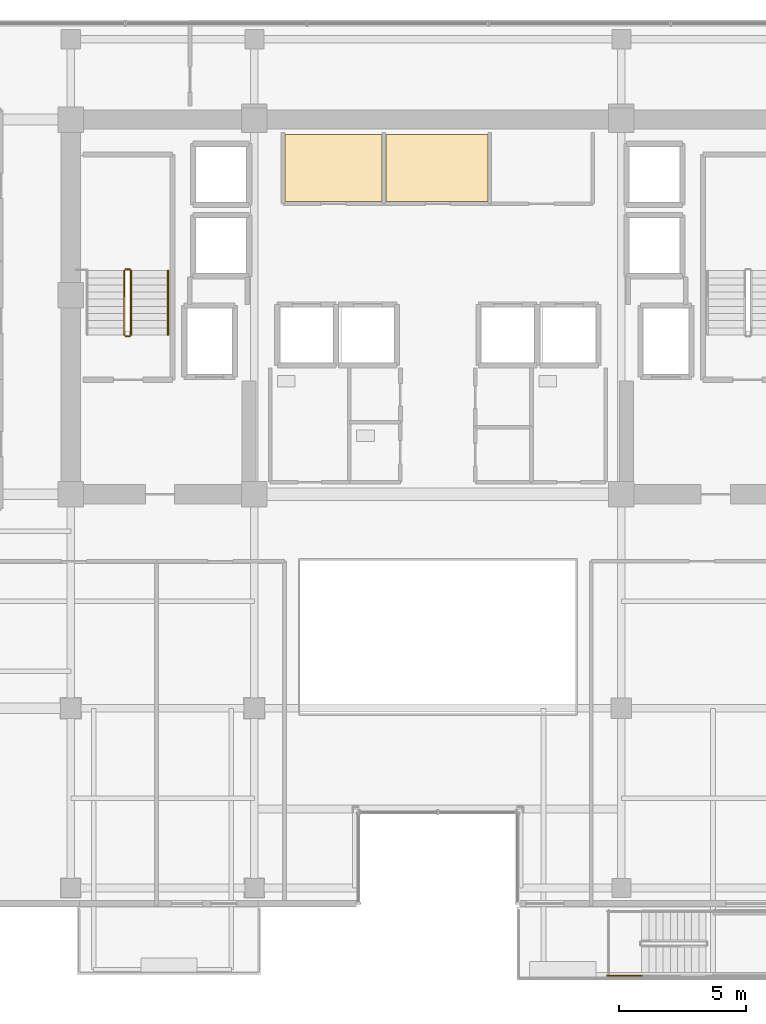
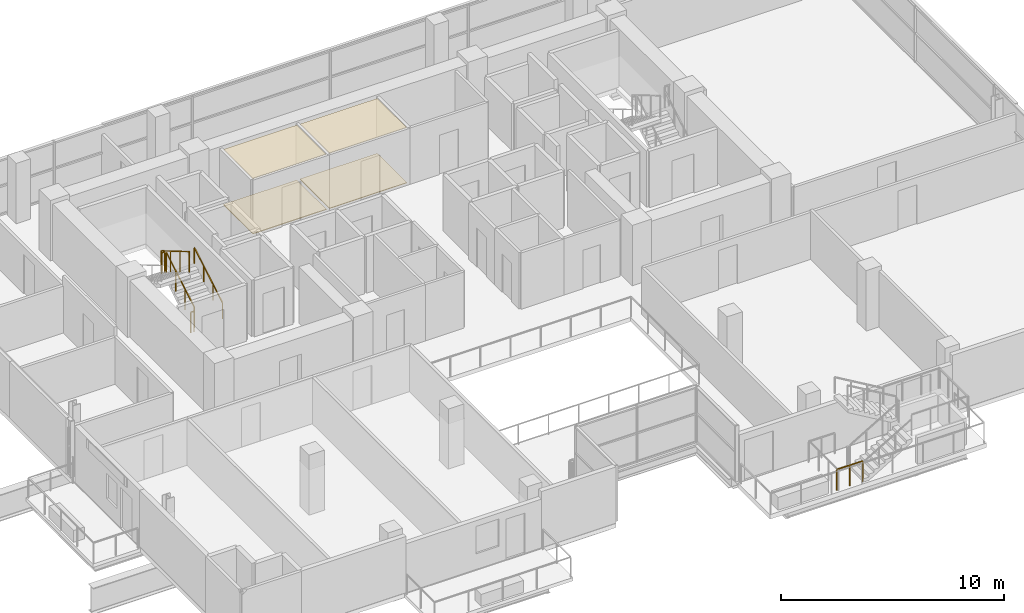
# One storey, part 21 of 23: 6 railings, 4 coverings.
"""IFC4 building model written with IfcOpenShell, lengths in metres."""

from ifc_helpers import new_model, si_unit, direction, frame, origin, origin_2d, place, context, subcontext, project, spatial, polyline, rectangle, outline, extrude, material, layer, layer_set, type_object, element, save


model = new_model("IFC4")

# Units and contexts
model_context = context("Model", 3, precision=1e-05, world=origin(), true_north=direction((0.0, 1.0)))
body_context = subcontext(model_context, "Body", "Model", "MODEL_VIEW")
ifc_project = project(units=[si_unit("LENGTHUNIT", "METRE"), si_unit("AREAUNIT", "SQUARE_METRE"), si_unit("VOLUMEUNIT", "CUBIC_METRE"), si_unit("PLANEANGLEUNIT", "RADIAN"), si_unit("MASSUNIT", "GRAM", prefix="KILO")], contexts=[model_context])

# Site, building, storey
site_placement = place(None, origin())
site = spatial("IfcSite", under=ifc_project, at=site_placement, CompositionType="ELEMENT")
building_placement = place(site_placement, origin())
building = spatial("IfcBuilding", under=site, at=building_placement, Name="Zarnakvel Exchange Tower", CompositionType="ELEMENT")
storey_placement = place(building_placement, frame((0.0, 0.0, 172.60009765625)))
storey = spatial("IfcBuildingStorey", under=building, at=storey_placement, Name="L48", CompositionType="ELEMENT", Elevation=172.60009765625)

# Coverings
ifc_material_1 = material(Name="Perforated Bronze Acoustic Metal Ceiling", Category="aluminium")
ifc_layer_1 = layer(ifc_material_1, 0.02001953125)
ifc_layer_set_1 = layer_set([ifc_layer_1], Name="Perforated Bronze Acoustic Metal Ceiling")
covering_type_1 = type_object("IfcCoveringType", Name="CLG-01", PredefinedType="CEILING", material=ifc_layer_set_1)
covering_1_placement = place(storey_placement, frame((0.0, 0.0, 3.014892578125)))
element("IfcCovering", 1, at=covering_1_placement, inside=storey, type_object=covering_type_1, Name="L48 Suspended Acoustic Ceiling (Clearing Records Office)", PredefinedType="CEILING", context=body_context, shape_type="SweptSolid", body=[
    extrude(outline(polyline([(-6.0, 12.919921875), (-2.199951171875, 12.919921875), (-2.199951171875, 10.280029296875), (-6.0, 10.280029296875), (-6.0, 12.919921875)])), origin(), (0.0, 0.0, 1.0), 0.02001953125),
])
covering_2_placement = place(storey_placement, frame((0.0, 0.0, 3.014892578125)))
element("IfcCovering", 2, at=covering_2_placement, inside=storey, type_object=covering_type_1, Name="L48 Suspended Acoustic Ceiling (Brokerage Filing Room)", PredefinedType="CEILING", context=body_context, shape_type="SweptSolid", body=[
    extrude(outline(polyline([(-2.0400390625, 12.919921875), (1.9599609375, 12.919921875), (1.9599609375, 10.280029296875), (-2.0400390625, 10.280029296875), (-2.0400390625, 12.919921875)])), origin(), (0.0, 0.0, 1.0), 0.02001953125),
])
ifc_material_2 = material(Name="Heavy-Duty Raised Access Floor Panel", Category="steel")
ifc_layer_2 = layer(ifc_material_2, 0.034912109375)
ifc_layer_set_2 = layer_set([ifc_layer_2], Name="Heavy-Duty Raised Access Floor Panel")
covering_type_2 = type_object("IfcCoveringType", Name="FLR-02", PredefinedType="FLOORING", material=ifc_layer_set_2)
covering_3_placement = place(storey_placement, origin())
element("IfcCovering", 3, at=covering_3_placement, inside=storey, type_object=covering_type_2, Name="L48 Floor Finish (Clearing Records Office)", PredefinedType="FLOORING", context=body_context, shape_type="SweptSolid", body=[
    extrude(outline(polyline([(-6.0, 12.919921875), (-2.199951171875, 12.919921875), (-2.199951171875, 10.280029296875), (-6.0, 10.280029296875), (-6.0, 12.919921875)])), origin(), (0.0, 0.0, 1.0), 0.034912109375),
])
covering_4_placement = place(storey_placement, origin())
element("IfcCovering", 4, at=covering_4_placement, inside=storey, type_object=covering_type_2, Name="L48 Floor Finish (Brokerage Filing Room)", PredefinedType="FLOORING", context=body_context, shape_type="SweptSolid", body=[
    extrude(outline(polyline([(-2.0400390625, 12.919921875), (1.9599609375, 12.919921875), (1.9599609375, 10.280029296875), (-2.0400390625, 10.280029296875), (-2.0400390625, 12.919921875)])), origin(), (0.0, 0.0, 1.0), 0.034912109375),
])

# Railings
ifc_material_3 = material(Name="Brushed Stainless Steel", Category="steel")
railing_type_1 = type_object("IfcRailingType", Name="HR-01", PredefinedType="HANDRAIL", material=ifc_material_3)
railing_1_placement = place(storey_placement, frame((-10.590087890625, 5.050048828125, 0.164794921875)))
element("IfcRailing", 5, at=railing_1_placement, inside=storey, type_object=railing_type_1, Name="L48 ST-01 stair handrail 1", PredefinedType="HANDRAIL", context=body_context, shape_type="SweptSolid", body=[
    extrude(rectangle(XDim=0.048095703125, YDim=0.048095703125, at=origin_2d()), frame((0.0, 0.0, 0.8759765625), z_axis=(0.0, 0.86152411907, 0.507716645641), x_axis=(-1.0, 0.0, 0.0)), (0.0, 0.0, 1.0), 2.925048828125),
    extrude(rectangle(XDim=0.0419921875, YDim=0.0419921875, at=origin_2d()), origin(), (0.0, 0.0, 1.0), 0.851806640625),
    extrude(rectangle(XDim=0.0419921875, YDim=0.0419921875, at=origin_2d()), frame((0.0, 0.840087890625, 0.4951171875)), (0.0, 0.0, 1.0), 0.851806640625),
    extrude(rectangle(XDim=0.0419921875, YDim=0.0419921875, at=origin_2d()), frame((0.0, 1.679931640625, 0.989990234375)), (0.0, 0.0, 1.0), 0.851806640625),
    extrude(rectangle(XDim=0.0419921875, YDim=0.0419921875, at=origin_2d()), frame((0.0, 2.52001953125, 1.485107421875)), (0.0, 0.0, 1.0), 0.851806640625),
])
ifc_material_4 = material(Name="Architectural Bronze Anodised Aluminium", Category="aluminium")
railing_type_2 = type_object("IfcRailingType", Name="SG-01", PredefinedType="GUARDRAIL", material=ifc_material_4)
railing_2_placement = place(storey_placement, frame((-12.0400390625, 5.050048828125, 0.164794921875)))
element("IfcRailing", 6, at=railing_2_placement, inside=storey, type_object=railing_type_2, Name="L48 ST-01 stair guard 1", PredefinedType="GUARDRAIL", context=body_context, shape_type="SweptSolid", body=[
    extrude(rectangle(XDim=0.048095703125, YDim=0.048095703125, at=origin_2d()), frame((0.0, 0.0, 1.1259765625), z_axis=(0.0, 0.86152411907, 0.507716645641), x_axis=(-1.0, 0.0, 0.0)), (0.0, 0.0, 1.0), 2.925048828125),
    extrude(rectangle(XDim=0.0419921875, YDim=0.0419921875, at=origin_2d()), origin(), (0.0, 0.0, 1.0), 1.101806640625),
    extrude(rectangle(XDim=0.0419921875, YDim=0.0419921875, at=origin_2d()), frame((0.0, 0.840087890625, 0.4951171875)), (0.0, 0.0, 1.0), 1.101806640625),
    extrude(rectangle(XDim=0.0419921875, YDim=0.0419921875, at=origin_2d()), frame((0.0, 1.679931640625, 0.989990234375)), (0.0, 0.0, 1.0), 1.101806640625),
    extrude(rectangle(XDim=0.0419921875, YDim=0.0419921875, at=origin_2d()), frame((0.0, 2.52001953125, 1.485107421875)), (0.0, 0.0, 1.0), 1.101806640625),
])
railing_3_placement = place(storey_placement, frame((-12.090087890625, 7.6201171875, 1.64990234375)))
element("IfcRailing", 7, at=railing_3_placement, inside=storey, type_object=railing_type_2, Name="L48 ST-01 stair guard 2", PredefinedType="GUARDRAIL", context=body_context, shape_type="SweptSolid", body=[
    extrude(rectangle(XDim=0.048095703125, YDim=0.048095703125, at=origin_2d()), frame((0.0, 0.0, 1.1259765625), z_axis=(-1.0, 0.0, 0.0), x_axis=(0.0, -1.0, 0.0)), (0.0, 0.0, 1.0), 0.159912109375),
    extrude(rectangle(XDim=0.0419921875, YDim=0.0419921875, at=origin_2d()), origin(), (0.0, 0.0, 1.0), 1.101806640625),
    extrude(rectangle(XDim=0.0419921875, YDim=0.0419921875, at=origin_2d()), frame((-0.159912109375, 0.0, 0.0)), (0.0, 0.0, 1.0), 1.101806640625),
])
railing_4_placement = place(storey_placement, frame((-12.300048828125, 7.570068359375, 1.81494140625)))
element("IfcRailing", 8, at=railing_4_placement, inside=storey, type_object=railing_type_2, Name="L48 ST-01 stair guard 3", PredefinedType="GUARDRAIL", context=body_context, shape_type="SweptSolid", body=[
    extrude(rectangle(XDim=0.048095703125, YDim=0.048095703125, at=origin_2d()), frame((0.0, 0.0, 1.1259765625), z_axis=(0.0, -0.861560626758, 0.507654692109), x_axis=(1.0, 0.0, 0.0)), (0.0, 0.0, 1.0), 2.925048828125),
    extrude(rectangle(XDim=0.0419921875, YDim=0.0419921875, at=origin_2d()), origin(), (0.0, 0.0, 1.0), 1.101806640625),
    extrude(rectangle(XDim=0.0419921875, YDim=0.0419921875, at=origin_2d()), frame((0.0, -0.840087890625, 0.494873046875)), (0.0, 0.0, 1.0), 1.101806640625),
    extrude(rectangle(XDim=0.0419921875, YDim=0.0419921875, at=origin_2d()), frame((0.0, -1.679931640625, 0.989990234375)), (0.0, 0.0, 1.0), 1.101806640625),
    extrude(rectangle(XDim=0.0419921875, YDim=0.0419921875, at=origin_2d()), frame((0.0, -2.52001953125, 1.48486328125)), (0.0, 0.0, 1.0), 1.101806640625),
])
railing_5_placement = place(storey_placement, frame((-12.090087890625, 5.0, 0.0)))
element("IfcRailing", 9, at=railing_5_placement, inside=storey, type_object=railing_type_2, Name="L48 ST-01 stair guard 4", PredefinedType="GUARDRAIL", context=body_context, shape_type="SweptSolid", body=[
    extrude(rectangle(XDim=0.048095703125, YDim=0.048095703125, at=origin_2d()), frame((0.0, 0.0, 1.1259765625), z_axis=(-1.0, 0.0, 0.0), x_axis=(0.0, -1.0, 0.0)), (0.0, 0.0, 1.0), 0.159912109375),
    extrude(rectangle(XDim=0.0419921875, YDim=0.0419921875, at=origin_2d()), origin(), (0.0, 0.0, 1.0), 1.101806640625),
    extrude(rectangle(XDim=0.0419921875, YDim=0.0419921875, at=origin_2d()), frame((-0.159912109375, 0.0, 0.0)), (0.0, 0.0, 1.0), 1.101806640625),
])
railing_6_placement = place(storey_placement, frame((6.64990234375, -20.090087890625, 0.0)))
element("IfcRailing", 10, at=railing_6_placement, inside=storey, type_object=railing_type_2, Name="L48 ST-12 stair guard 8", PredefinedType="GUARDRAIL", context=body_context, shape_type="SweptSolid", body=[
    extrude(rectangle(XDim=0.048095703125, YDim=0.048095703125, at=origin_2d()), frame((0.0, 0.0, 1.1259765625), z_axis=(1.0, 0.0, 0.0), x_axis=(0.0, 1.0, 0.0)), (0.0, 0.0, 1.0), 1.35009765625),
    extrude(rectangle(XDim=0.0419921875, YDim=0.0419921875, at=origin_2d()), origin(), (0.0, 0.0, 1.0), 1.101806640625),
    extrude(rectangle(XDim=0.0419921875, YDim=0.0419921875, at=origin_2d()), frame((0.675048828125, 0.0, 0.0)), (0.0, 0.0, 1.0), 1.101806640625),
    extrude(rectangle(XDim=0.0419921875, YDim=0.0419921875, at=origin_2d()), frame((1.35009765625, 0.0, 0.0)), (0.0, 0.0, 1.0), 1.101806640625),
])

save(model, "model.ifc")
